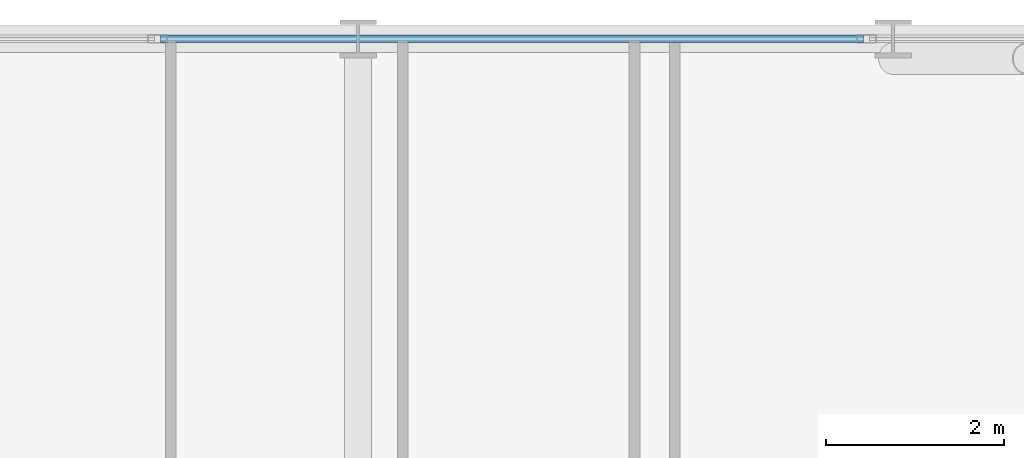
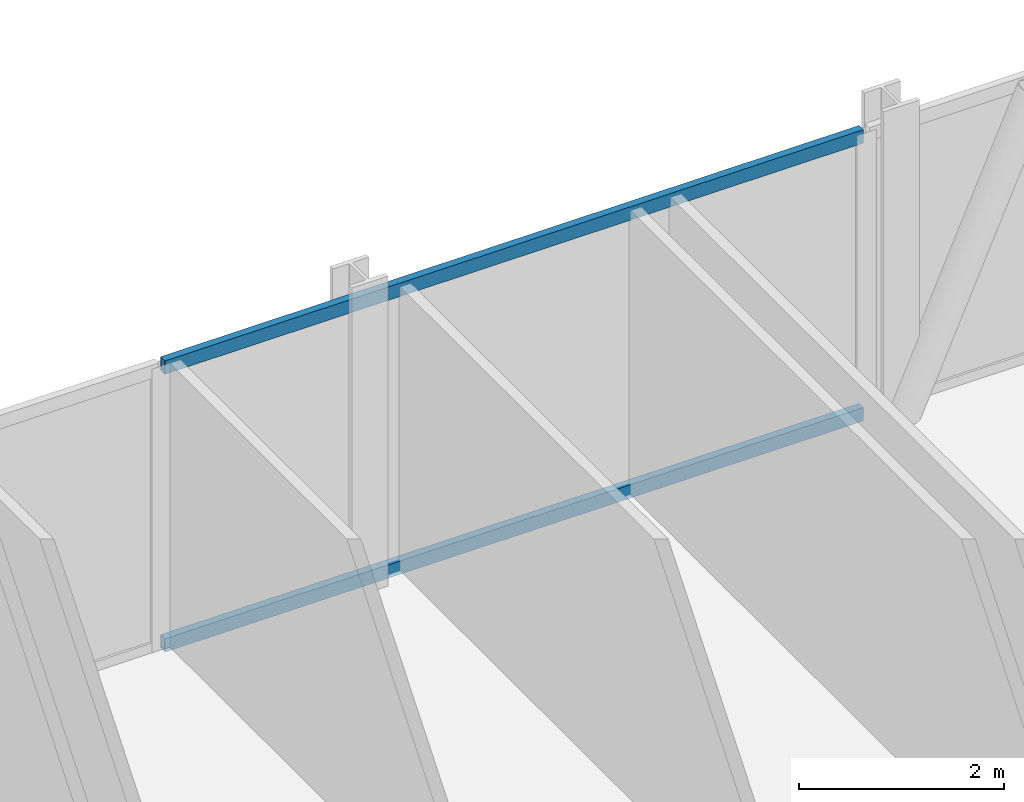
# One storey, part 14 of 33: 2 members, 1 element without a shape of its own.
"""IFC4 building model written with IfcOpenShell, lengths in metres."""

from ifc_helpers import new_model, si_unit, direction, frame, origin, origin_2d, place, context, subcontext, project, spatial, hollow_rectangle, extrude, material, layer, layer_set, material_profile, profile_set, type_object, element, aggregate, save


model = new_model("IFC4")

# Units and contexts
model_context = context("Model", 3, precision=1e-05, world=origin(), true_north=direction((0.0, 1.0)))
body_context = subcontext(model_context, "Body", "Model", "MODEL_VIEW")
ifc_project = project(units=[si_unit("LENGTHUNIT", "METRE"), si_unit("AREAUNIT", "SQUARE_METRE"), si_unit("VOLUMEUNIT", "CUBIC_METRE"), si_unit("PLANEANGLEUNIT", "RADIAN"), si_unit("MASSUNIT", "GRAM", prefix="KILO")], contexts=[model_context])

# Site, building, storey
site_placement = place(None, origin())
site = spatial("IfcSite", under=ifc_project, at=site_placement, CompositionType="ELEMENT")
building_placement = place(site_placement, origin())
building = spatial("IfcBuilding", under=site, at=building_placement, Name="Keshet Zoharim Tower", CompositionType="ELEMENT")
storey_placement = place(building_placement, frame((0.0, 0.0, 42.5)))
storey = spatial("IfcBuildingStorey", under=building, at=storey_placement, Name="L09", CompositionType="ELEMENT", Elevation=42.5)

# Curtain wall, members
ifc_material = material(Name="Aluminium 6063-T6", Category="aluminium")
ifc_layer = layer(ifc_material, 0.169921875)
ifc_layer_set = layer_set([ifc_layer], Name="Aluminium 6063-T6")
curtain_wall_type = type_object("IfcCurtainWallType", Name="CW-SYS-02", PredefinedType="NOTDEFINED", material=ifc_layer_set)
curtain_wall_placement = place(storey_placement, origin())
curtain_wall = element("IfcCurtainWall", 1, at=curtain_wall_placement, inside=storey, type_object=curtain_wall_type, Name="L09 Unitised Curtain Wall 07 Part 3", PredefinedType="NOTDEFINED")
ifc_material_profile = material_profile(ifc_material, hollow_rectangle(XDim=0.0849609375, YDim=0.159912109375, WallThickness=0.00439453125, at=origin_2d()), Name="TRN-85x160")
ifc_profile_set = profile_set([ifc_material_profile], Name="Aluminium 6063-T6")
member_type = type_object("IfcMemberType", Name="CWT-T16", PredefinedType="USERDEFINED", material=ifc_profile_set)
member_1_placement = place(storey_placement, frame((30.784912109375, 53.89990234375, 0.034912109375), z_axis=(1.0, 0.0, 0.0), x_axis=(0.0, 1.0, 0.0)))
member_1 = element("IfcMember", 2, at=member_1_placement, type_object=member_type, Name="CW-02 transom 2.1", ObjectType="TRANSOM", PredefinedType="USERDEFINED", context=body_context, shape_type="SweptSolid", body=[
    extrude(hollow_rectangle(XDim=0.0849609375, YDim=0.159912109375, WallThickness=0.00439453125, at=origin_2d()), origin(), (0.0, 0.0, 1.0), 7.882568359375),
])
member_2_placement = place(storey_placement, frame((30.784912109375, 53.89990234375, 3.35009765625), z_axis=(1.0, 0.0, 0.0), x_axis=(0.0, 1.0, 0.0)))
member_2 = element("IfcMember", 3, at=member_2_placement, type_object=member_type, Name="CW-02 transom 2.2", ObjectType="TRANSOM", PredefinedType="USERDEFINED", context=body_context, shape_type="SweptSolid", body=[
    extrude(hollow_rectangle(XDim=0.0849609375, YDim=0.159912109375, WallThickness=0.00439453125, at=origin_2d()), origin(), (0.0, 0.0, 1.0), 7.882568359375),
])
aggregate(curtain_wall, [member_1, member_2])

save(model, "model.ifc")
